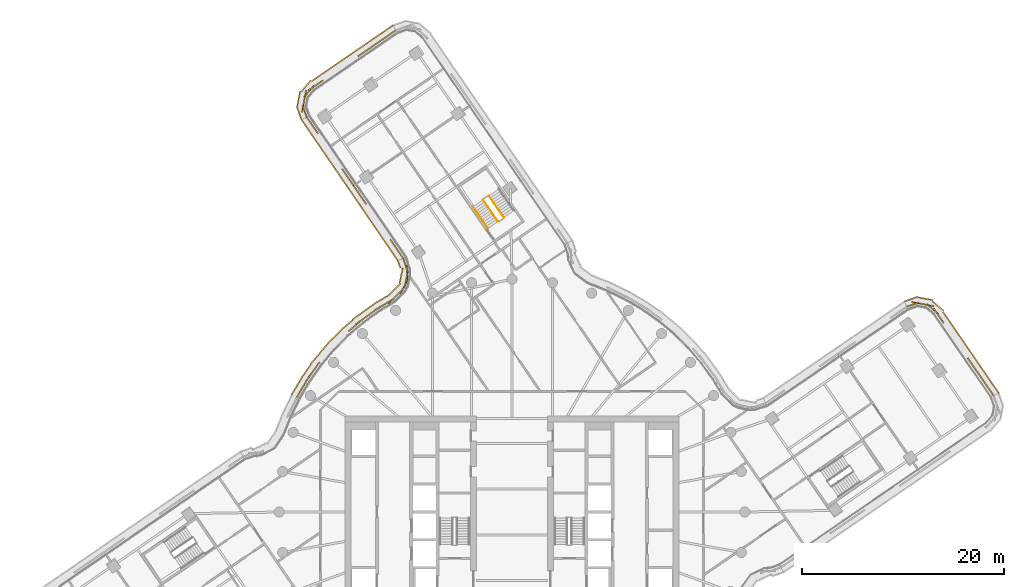
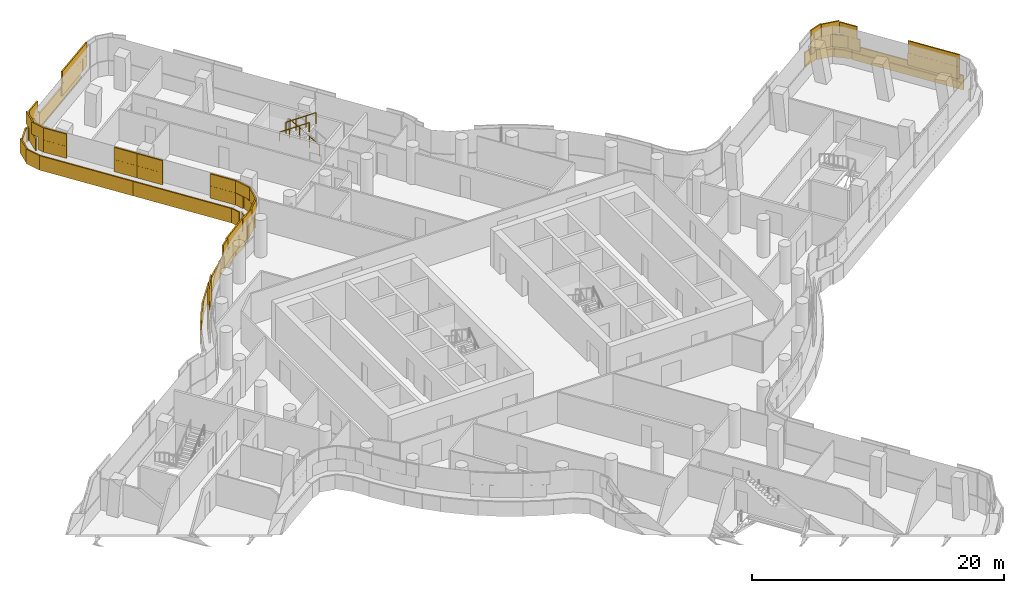
# One storey, part 32 of 33: 5 coverings, 3 railings.
"""IFC4 building model written with IfcOpenShell, lengths in metres."""

from ifc_helpers import new_model, si_unit, direction, frame, origin, origin_2d, place, context, subcontext, project, spatial, rectangle, circle, extrude, material, layer, layer_set, type_object, element, save


model = new_model("IFC4")

# Units and contexts
model_context = context("Model", 3, precision=1e-05, world=origin(), true_north=direction((0.0, 1.0)))
body_context = subcontext(model_context, "Body", "Model", "MODEL_VIEW")
ifc_project = project(units=[si_unit("LENGTHUNIT", "METRE"), si_unit("AREAUNIT", "SQUARE_METRE"), si_unit("VOLUMEUNIT", "CUBIC_METRE"), si_unit("PLANEANGLEUNIT", "RADIAN"), si_unit("MASSUNIT", "GRAM", prefix="KILO")], contexts=[model_context])

# Site, building, storey
site_placement = place(None, origin())
site = spatial("IfcSite", under=ifc_project, at=site_placement, CompositionType="ELEMENT")
building_placement = place(site_placement, origin())
building = spatial("IfcBuilding", under=site, at=building_placement, Name="Tamarind Cross Interchange Tower", CompositionType="ELEMENT")
storey_placement = place(building_placement, frame((0.0, 0.0, 159.25)))
storey = spatial("IfcBuildingStorey", under=building, at=storey_placement, Name="L39", CompositionType="ELEMENT", Elevation=159.25)

# Railings
ifc_material_1 = material(Name="Stair guard")
railing_type_1 = type_object("IfcRailingType", Name="Stair guard", PredefinedType="GUARDRAIL", material=ifc_material_1)
railing_1_placement = place(storey_placement, frame((-0.804931640625, 29.08984375, 0.17041015625)))
element("IfcRailing", 1, at=railing_1_placement, inside=storey, type_object=railing_type_1, Name="L39 ST4 stair guard 1", PredefinedType="GUARDRAIL", context=body_context, shape_type="SweptSolid", body=[
    extrude(circle(Radius=0.02392578125, at=origin_2d()), frame((0.0, 0.0, 1.076171875), z_axis=(-0.473376615801, 0.689411630743, 0.548293883796), x_axis=(-0.824373307567, -0.566046508488, 0.0)), (0.0, 0.0, 1.0), 3.10888671875),
    extrude(circle(Radius=0.02099609375, at=origin_2d()), origin(), (0.0, 0.0, 1.0), 1.052001953125),
    extrude(circle(Radius=0.02099609375, at=origin_2d()), frame((-0.490478515625, 0.71435546875, 0.568115234375)), (0.0, 0.0, 1.0), 1.052001953125),
    extrude(circle(Radius=0.02099609375, at=origin_2d()), frame((-0.981201171875, 1.428955078125, 1.136474609375)), (0.0, 0.0, 1.0), 1.052001953125),
    extrude(circle(Radius=0.02099609375, at=origin_2d()), frame((-1.4716796875, 2.143310546875, 1.70458984375)), (0.0, 0.0, 1.0), 1.052001953125),
])
railing_2_placement = place(storey_placement, frame((-2.853759765625, 30.836669921875, 2.04541015625)))
element("IfcRailing", 2, at=railing_2_placement, inside=storey, type_object=railing_type_1, Name="L39 ST4 stair guard 3", PredefinedType="GUARDRAIL", context=body_context, shape_type="SweptSolid", body=[
    extrude(circle(Radius=0.02392578125, at=origin_2d()), frame((0.0, 0.0, 1.076171875), z_axis=(0.473463174954, -0.689344791798, 0.54830318254), x_axis=(0.824299393218, 0.56615414009, 0.0)), (0.0, 0.0, 1.0), 3.10888671875),
    extrude(circle(Radius=0.02099609375, at=origin_2d()), origin(), (0.0, 0.0, 1.0), 1.052001953125),
    extrude(circle(Radius=0.02099609375, at=origin_2d()), frame((0.49072265625, -0.71435546875, 0.568115234375)), (0.0, 0.0, 1.0), 1.052001953125),
    extrude(circle(Radius=0.02099609375, at=origin_2d()), frame((0.981201171875, -1.4287109375, 1.136474609375)), (0.0, 0.0, 1.0), 1.052001953125),
    extrude(circle(Radius=0.02099609375, at=origin_2d()), frame((1.471923828125, -2.14306640625, 1.70458984375)), (0.0, 0.0, 1.0), 1.052001953125),
])
ifc_material_2 = material(Name="Stair handrail")
railing_type_2 = type_object("IfcRailingType", Name="Stair handrail", PredefinedType="HANDRAIL", material=ifc_material_2)
railing_3_placement = place(storey_placement, frame((-3.843017578125, 30.157470703125, 2.04541015625)))
element("IfcRailing", 3, at=railing_3_placement, inside=storey, type_object=railing_type_2, Name="L39 ST4 stair handrail 2", PredefinedType="HANDRAIL", context=body_context, shape_type="SweptSolid", body=[
    extrude(circle(Radius=0.02392578125, at=origin_2d()), frame((0.0, 0.0, 0.8759765625), z_axis=(0.473437544689, -0.689386001796, 0.548273500916), x_axis=(0.824329489188, 0.566110318979, 0.0)), (0.0, 0.0, 1.0), 3.109130859375),
    extrude(circle(Radius=0.02099609375, at=origin_2d()), origin(), (0.0, 0.0, 1.0), 0.851806640625),
    extrude(circle(Radius=0.02099609375, at=origin_2d()), frame((0.49072265625, -0.71435546875, 0.568115234375)), (0.0, 0.0, 1.0), 0.851806640625),
    extrude(circle(Radius=0.02099609375, at=origin_2d()), frame((0.981201171875, -1.428955078125, 1.136474609375)), (0.0, 0.0, 1.0), 0.851806640625),
    extrude(circle(Radius=0.02099609375, at=origin_2d()), frame((1.471923828125, -2.143310546875, 1.70458984375)), (0.0, 0.0, 1.0), 0.851806640625),
])

# Coverings
ifc_material_3 = material(Name="Terracotta", Category="masonry")
ifc_layer = layer(ifc_material_3, 0.1201171875)
ifc_layer_set = layer_set([ifc_layer], Name="Terracotta")
covering_type = type_object("IfcCoveringType", Name="Terracotta baguette screen unit", PredefinedType="MOLDING", material=ifc_layer_set)
covering_1_placement = place(storey_placement, origin())
element("IfcCovering", 4, at=covering_1_placement, inside=storey, type_object=covering_type, Name="SCR-L39-08-00", PredefinedType="MOLDING", context=body_context, shape_type="SweptSolid", body=[
    extrude(rectangle(XDim=0.760009765625, YDim=0.1201171875, at=origin_2d()), frame((47.36328125, 11.792724609375, 1.404052734375), z_axis=(0.0, 0.0, 1.0), x_axis=(-0.566095508429, 0.824339660174, 0.0)), (0.0, 0.0, 1.0), 1.1669921875),
    extrude(rectangle(XDim=1.52001953125, YDim=0.1201171875, at=origin_2d()), frame((46.7265625, 12.72021484375, 1.404052734375), z_axis=(0.0, 0.0, 1.0), x_axis=(-0.566095508429, 0.824339660174, 0.0)), (0.0, 0.0, 1.0), 1.1669921875),
    extrude(rectangle(XDim=1.52001953125, YDim=0.1201171875, at=origin_2d()), frame((45.87744140625, 13.956787109375, 1.404052734375), z_axis=(0.0, 0.0, 1.0), x_axis=(-0.566095508429, 0.824339660174, 0.0)), (0.0, 0.0, 1.0), 1.1669921875),
    extrude(rectangle(XDim=0.784912109375, YDim=0.1201171875, at=origin_2d()), frame((45.2333984375, 14.894287109375, 1.404052734375), z_axis=(0.0, 0.0, 1.0), x_axis=(-0.566095508429, 0.824339660174, 0.0)), (0.0, 0.0, 1.0), 1.1669921875),
    extrude(rectangle(XDim=1.03515625, YDim=0.1201171875, at=origin_2d()), frame((42.346435546875, 19.098388671875, 1.404052734375), z_axis=(0.0, 0.0, 1.0), x_axis=(-0.566095508429, 0.824339660174, 0.0)), (0.0, 0.0, 1.0), 1.1669921875),
    extrude(rectangle(XDim=1.52001953125, YDim=0.1201171875, at=origin_2d()), frame((41.539306640625, 20.05615234375, 1.404052734375), z_axis=(0.0, 0.0, 1.0), x_axis=(-0.760161075424, 0.649734668468, 0.0)), (0.0, 0.0, 1.0), 1.1669921875),
    extrude(rectangle(XDim=1.52001953125, YDim=0.1201171875, at=origin_2d()), frame((40.197265625, 20.60791015625, 1.404052734375), z_axis=(0.0, 0.0, 1.0), x_axis=(-0.98318613652, 0.182606190901, 0.0)), (0.0, 0.0, 1.0), 1.1669921875),
    extrude(rectangle(XDim=0.509521484375, YDim=0.1201171875, at=origin_2d()), frame((39.247314453125, 20.366455078125, 1.404052734375), z_axis=(0.0, 0.0, 1.0), x_axis=(-0.942767266325, -0.333451468051, 0.0)), (0.0, 0.0, 1.0), 1.1669921875),
    extrude(rectangle(XDim=1.510009765625, YDim=0.1201171875, at=origin_2d()), frame((47.151123046875, 12.101806640625, 2.5791015625), z_axis=(0.0, 0.0, 1.0), x_axis=(-0.566095508429, 0.824339660174, 0.0)), (0.0, 0.0, 1.0), 1.1669921875),
    extrude(rectangle(XDim=1.52001953125, YDim=0.1201171875, at=origin_2d()), frame((46.302001953125, 13.33837890625, 2.5791015625), z_axis=(0.0, 0.0, 1.0), x_axis=(-0.566095508429, 0.824339660174, 0.0)), (0.0, 0.0, 1.0), 1.1669921875),
    extrude(rectangle(XDim=1.52001953125, YDim=0.1201171875, at=origin_2d()), frame((45.452880859375, 14.574951171875, 2.5791015625), z_axis=(0.0, 0.0, 1.0), x_axis=(-0.566095508429, 0.824339660174, 0.0)), (0.0, 0.0, 1.0), 1.1669921875),
    extrude(rectangle(XDim=1.52001953125, YDim=0.1201171875, at=origin_2d()), frame((42.05615234375, 19.52099609375, 2.5791015625), z_axis=(0.0, 0.0, 1.0), x_axis=(-0.566095508429, 0.824339660174, 0.0)), (0.0, 0.0, 1.0), 1.1669921875),
    extrude(rectangle(XDim=1.52001953125, YDim=0.1201171875, at=origin_2d()), frame((40.9345703125, 20.470947265625, 2.5791015625), z_axis=(0.0, 0.0, 1.0), x_axis=(-0.98318613652, 0.182606190901, 0.0)), (0.0, 0.0, 1.0), 1.1669921875),
    extrude(rectangle(XDim=1.259521484375, YDim=0.1201171875, at=origin_2d()), frame((39.600830078125, 20.49169921875, 2.5791015625), z_axis=(0.0, 0.0, 1.0), x_axis=(-0.942767266325, -0.333451468051, 0.0)), (0.0, 0.0, 1.0), 1.1669921875),
    extrude(rectangle(XDim=0.760009765625, YDim=0.1201171875, at=origin_2d()), frame((47.87646484375, 12.0595703125, 0.00390625), z_axis=(0.0, 0.0, 1.0), x_axis=(-0.566095508429, 0.824339660174, 0.0)), (0.0, 0.0, 1.0), 1.39208984375),
    extrude(rectangle(XDim=1.52001953125, YDim=0.1201171875, at=origin_2d()), frame((47.242431640625, 12.98291015625, 0.00390625), z_axis=(0.0, 0.0, 1.0), x_axis=(-0.566095508429, 0.824339660174, 0.0)), (0.0, 0.0, 1.0), 1.39208984375),
    extrude(rectangle(XDim=1.52001953125, YDim=0.1201171875, at=origin_2d()), frame((46.393310546875, 14.21923828125, 0.00390625), z_axis=(0.0, 0.0, 1.0), x_axis=(-0.566095508429, 0.824339660174, 0.0)), (0.0, 0.0, 1.0), 1.39208984375),
    extrude(rectangle(XDim=1.52001953125, YDim=0.1201171875, at=origin_2d()), frame((45.544189453125, 15.455810546875, 0.00390625), z_axis=(0.0, 0.0, 1.0), x_axis=(-0.566095508429, 0.824339660174, 0.0)), (0.0, 0.0, 1.0), 1.39208984375),
    extrude(rectangle(XDim=1.52001953125, YDim=0.1201171875, at=origin_2d()), frame((44.695068359375, 16.6923828125, 0.00390625), z_axis=(0.0, 0.0, 1.0), x_axis=(-0.566095508429, 0.824339660174, 0.0)), (0.0, 0.0, 1.0), 1.39208984375),
    extrude(rectangle(XDim=1.52001953125, YDim=0.1201171875, at=origin_2d()), frame((43.845947265625, 17.928955078125, 0.00390625), z_axis=(0.0, 0.0, 1.0), x_axis=(-0.566095508429, 0.824339660174, 0.0)), (0.0, 0.0, 1.0), 1.39208984375),
    extrude(rectangle(XDim=1.52001953125, YDim=0.1201171875, at=origin_2d()), frame((42.996826171875, 19.165283203125, 0.00390625), z_axis=(0.0, 0.0, 1.0), x_axis=(-0.566095508429, 0.824339660174, 0.0)), (0.0, 0.0, 1.0), 1.39208984375),
    extrude(rectangle(XDim=1.52001953125, YDim=0.1201171875, at=origin_2d()), frame((42.08447265625, 20.344970703125, 0.00390625), z_axis=(0.0, 0.0, 1.0), x_axis=(-0.760161075424, 0.649734668468, 0.0)), (0.0, 0.0, 1.0), 1.39208984375),
    extrude(rectangle(XDim=1.52001953125, YDim=0.1201171875, at=origin_2d()), frame((40.827392578125, 21.07470703125, 0.00390625), z_axis=(0.0, 0.0, 1.0), x_axis=(-0.98318613652, 0.182606190901, 0.0)), (0.0, 0.0, 1.0), 1.39208984375),
    extrude(rectangle(XDim=1.426513671875, YDim=0.1201171875, at=origin_2d()), frame((39.422119140625, 21.037353515625, 0.00390625), z_axis=(0.0, 0.0, 1.0), x_axis=(-0.942767266325, -0.333451468051, 0.0)), (0.0, 0.0, 1.0), 1.39208984375),
])
covering_2_placement = place(storey_placement, origin())
element("IfcCovering", 5, at=covering_2_placement, inside=storey, type_object=covering_type, Name="SCR-L39-12-00", PredefinedType="MOLDING", context=body_context, shape_type="SweptSolid", body=[
    extrude(rectangle(XDim=0.760009765625, YDim=0.1201171875, at=origin_2d()), frame((-11.792724609375, 47.36328125, 1.404052734375), z_axis=(0.0, 0.0, 1.0), x_axis=(-0.824339660174, -0.566095508429, 0.0)), (0.0, 0.0, 1.0), 1.1669921875),
    extrude(rectangle(XDim=1.52001953125, YDim=0.1201171875, at=origin_2d()), frame((-12.72021484375, 46.7265625, 1.404052734375), z_axis=(0.0, 0.0, 1.0), x_axis=(-0.824339660174, -0.566095508429, 0.0)), (0.0, 0.0, 1.0), 1.1669921875),
    extrude(rectangle(XDim=1.52001953125, YDim=0.1201171875, at=origin_2d()), frame((-13.956787109375, 45.87744140625, 1.404052734375), z_axis=(0.0, 0.0, 1.0), x_axis=(-0.824339660174, -0.566095508429, 0.0)), (0.0, 0.0, 1.0), 1.1669921875),
    extrude(rectangle(XDim=0.784912109375, YDim=0.1201171875, at=origin_2d()), frame((-14.894287109375, 45.2333984375, 1.404052734375), z_axis=(0.0, 0.0, 1.0), x_axis=(-0.824339660174, -0.566095508429, 0.0)), (0.0, 0.0, 1.0), 1.1669921875),
    extrude(rectangle(XDim=1.03515625, YDim=0.1201171875, at=origin_2d()), frame((-19.098388671875, 42.346435546875, 1.404052734375), z_axis=(0.0, 0.0, 1.0), x_axis=(-0.824339660174, -0.566095508429, 0.0)), (0.0, 0.0, 1.0), 1.1669921875),
    extrude(rectangle(XDim=1.52001953125, YDim=0.1201171875, at=origin_2d()), frame((-20.05615234375, 41.539306640625, 1.404052734375), z_axis=(0.0, 0.0, 1.0), x_axis=(-0.649734668468, -0.760161075424, 0.0)), (0.0, 0.0, 1.0), 1.1669921875),
    extrude(rectangle(XDim=1.52001953125, YDim=0.1201171875, at=origin_2d()), frame((-20.60791015625, 40.197265625, 1.404052734375), z_axis=(0.0, 0.0, 1.0), x_axis=(-0.182606190901, -0.98318613652, 0.0)), (0.0, 0.0, 1.0), 1.1669921875),
    extrude(rectangle(XDim=0.509521484375, YDim=0.1201171875, at=origin_2d()), frame((-20.366455078125, 39.247314453125, 1.404052734375), z_axis=(0.0, 0.0, 1.0), x_axis=(0.333451468051, -0.942767266325, 0.0)), (0.0, 0.0, 1.0), 1.1669921875),
    extrude(rectangle(XDim=1.510009765625, YDim=0.1201171875, at=origin_2d()), frame((-12.101806640625, 47.151123046875, 2.5791015625), z_axis=(0.0, 0.0, 1.0), x_axis=(-0.824339660174, -0.566095508429, 0.0)), (0.0, 0.0, 1.0), 1.1669921875),
    extrude(rectangle(XDim=1.52001953125, YDim=0.1201171875, at=origin_2d()), frame((-13.33837890625, 46.302001953125, 2.5791015625), z_axis=(0.0, 0.0, 1.0), x_axis=(-0.824339660174, -0.566095508429, 0.0)), (0.0, 0.0, 1.0), 1.1669921875),
    extrude(rectangle(XDim=1.52001953125, YDim=0.1201171875, at=origin_2d()), frame((-14.574951171875, 45.452880859375, 2.5791015625), z_axis=(0.0, 0.0, 1.0), x_axis=(-0.824339660174, -0.566095508429, 0.0)), (0.0, 0.0, 1.0), 1.1669921875),
    extrude(rectangle(XDim=1.52001953125, YDim=0.1201171875, at=origin_2d()), frame((-19.52099609375, 42.05615234375, 2.5791015625), z_axis=(0.0, 0.0, 1.0), x_axis=(-0.824339660174, -0.566095508429, 0.0)), (0.0, 0.0, 1.0), 1.1669921875),
    extrude(rectangle(XDim=1.52001953125, YDim=0.1201171875, at=origin_2d()), frame((-20.470947265625, 40.9345703125, 2.5791015625), z_axis=(0.0, 0.0, 1.0), x_axis=(-0.182606190901, -0.98318613652, 0.0)), (0.0, 0.0, 1.0), 1.1669921875),
    extrude(rectangle(XDim=1.259521484375, YDim=0.1201171875, at=origin_2d()), frame((-20.49169921875, 39.600830078125, 2.5791015625), z_axis=(0.0, 0.0, 1.0), x_axis=(0.333451468051, -0.942767266325, 0.0)), (0.0, 0.0, 1.0), 1.1669921875),
    extrude(rectangle(XDim=0.760009765625, YDim=0.1201171875, at=origin_2d()), frame((-12.0595703125, 47.87646484375, 0.00390625), z_axis=(0.0, 0.0, 1.0), x_axis=(-0.824339660174, -0.566095508429, 0.0)), (0.0, 0.0, 1.0), 1.39208984375),
    extrude(rectangle(XDim=1.52001953125, YDim=0.1201171875, at=origin_2d()), frame((-12.98291015625, 47.242431640625, 0.00390625), z_axis=(0.0, 0.0, 1.0), x_axis=(-0.824339660174, -0.566095508429, 0.0)), (0.0, 0.0, 1.0), 1.39208984375),
    extrude(rectangle(XDim=1.52001953125, YDim=0.1201171875, at=origin_2d()), frame((-14.21923828125, 46.393310546875, 0.00390625), z_axis=(0.0, 0.0, 1.0), x_axis=(-0.824339660174, -0.566095508429, 0.0)), (0.0, 0.0, 1.0), 1.39208984375),
    extrude(rectangle(XDim=1.52001953125, YDim=0.1201171875, at=origin_2d()), frame((-15.455810546875, 45.544189453125, 0.00390625), z_axis=(0.0, 0.0, 1.0), x_axis=(-0.824339660174, -0.566095508429, 0.0)), (0.0, 0.0, 1.0), 1.39208984375),
    extrude(rectangle(XDim=1.52001953125, YDim=0.1201171875, at=origin_2d()), frame((-16.6923828125, 44.695068359375, 0.00390625), z_axis=(0.0, 0.0, 1.0), x_axis=(-0.824339660174, -0.566095508429, 0.0)), (0.0, 0.0, 1.0), 1.39208984375),
    extrude(rectangle(XDim=1.52001953125, YDim=0.1201171875, at=origin_2d()), frame((-17.928955078125, 43.845947265625, 0.00390625), z_axis=(0.0, 0.0, 1.0), x_axis=(-0.824339660174, -0.566095508429, 0.0)), (0.0, 0.0, 1.0), 1.39208984375),
    extrude(rectangle(XDim=1.52001953125, YDim=0.1201171875, at=origin_2d()), frame((-19.165283203125, 42.996826171875, 0.00390625), z_axis=(0.0, 0.0, 1.0), x_axis=(-0.824339660174, -0.566095508429, 0.0)), (0.0, 0.0, 1.0), 1.39208984375),
    extrude(rectangle(XDim=1.52001953125, YDim=0.1201171875, at=origin_2d()), frame((-20.344970703125, 42.08447265625, 0.00390625), z_axis=(0.0, 0.0, 1.0), x_axis=(-0.649734668468, -0.760161075424, 0.0)), (0.0, 0.0, 1.0), 1.39208984375),
    extrude(rectangle(XDim=1.52001953125, YDim=0.1201171875, at=origin_2d()), frame((-21.07470703125, 40.827392578125, 0.00390625), z_axis=(0.0, 0.0, 1.0), x_axis=(-0.182606190901, -0.98318613652, 0.0)), (0.0, 0.0, 1.0), 1.39208984375),
    extrude(rectangle(XDim=1.426513671875, YDim=0.1201171875, at=origin_2d()), frame((-21.037353515625, 39.422119140625, 0.00390625), z_axis=(0.0, 0.0, 1.0), x_axis=(0.333451468051, -0.942767266325, 0.0)), (0.0, 0.0, 1.0), 1.39208984375),
])
covering_3_placement = place(storey_placement, origin())
element("IfcCovering", 6, at=covering_3_placement, inside=storey, type_object=covering_type, Name="SCR-L39-13-00", PredefinedType="MOLDING", context=body_context, shape_type="SweptSolid", body=[
    extrude(rectangle(XDim=0.760009765625, YDim=0.1201171875, at=origin_2d()), frame((-20.07177734375, 38.702392578125, 1.404052734375), z_axis=(0.0, 0.0, 1.0), x_axis=(0.564300572341, -0.825569418072, 0.0)), (0.0, 0.0, 1.0), 1.1669921875),
    extrude(rectangle(XDim=1.2568359375, YDim=0.1201171875, at=origin_2d()), frame((-19.50830078125, 37.8779296875, 1.404052734375), z_axis=(0.0, 0.0, 1.0), x_axis=(0.564300572341, -0.825569418072, 0.0)), (0.0, 0.0, 1.0), 1.1669921875),
    extrude(rectangle(XDim=0.563232421875, YDim=0.1201171875, at=origin_2d()), frame((-16.63037109375, 33.667724609375, 1.404052734375), z_axis=(0.0, 0.0, 1.0), x_axis=(0.564300572341, -0.825569418072, 0.0)), (0.0, 0.0, 1.0), 1.1669921875),
    extrude(rectangle(XDim=1.45361328125, YDim=0.1201171875, at=origin_2d()), frame((-16.06689453125, 32.84326171875, 1.404052734375), z_axis=(0.0, 0.0, 1.0), x_axis=(0.564300572341, -0.825569418072, 0.0)), (0.0, 0.0, 1.0), 1.1669921875),
    extrude(rectangle(XDim=1.510009765625, YDim=0.1201171875, at=origin_2d()), frame((-19.860107421875, 38.392578125, 2.5791015625), z_axis=(0.0, 0.0, 1.0), x_axis=(0.564300572341, -0.825569418072, 0.0)), (0.0, 0.0, 1.0), 1.1669921875),
    extrude(rectangle(XDim=0.5068359375, YDim=0.1201171875, at=origin_2d()), frame((-19.296630859375, 37.568359375, 2.5791015625), z_axis=(0.0, 0.0, 1.0), x_axis=(0.564300572341, -0.825569418072, 0.0)), (0.0, 0.0, 1.0), 1.1669921875),
    extrude(rectangle(XDim=1.313232421875, YDim=0.1201171875, at=origin_2d()), frame((-16.418701171875, 33.35791015625, 2.5791015625), z_axis=(0.0, 0.0, 1.0), x_axis=(0.564300572341, -0.825569418072, 0.0)), (0.0, 0.0, 1.0), 1.1669921875),
    extrude(rectangle(XDim=0.70361328125, YDim=0.1201171875, at=origin_2d()), frame((-15.855224609375, 32.53369140625, 2.5791015625), z_axis=(0.0, 0.0, 1.0), x_axis=(0.564300572341, -0.825569418072, 0.0)), (0.0, 0.0, 1.0), 1.1669921875),
    extrude(rectangle(XDim=0.760009765625, YDim=0.1201171875, at=origin_2d()), frame((-20.5849609375, 38.43603515625, 0.00390625), z_axis=(0.0, 0.0, 1.0), x_axis=(0.564300572341, -0.825569418072, 0.0)), (0.0, 0.0, 1.0), 1.39208984375),
    extrude(rectangle(XDim=1.52001953125, YDim=0.1201171875, at=origin_2d()), frame((-19.952880859375, 37.511474609375, 0.00390625), z_axis=(0.0, 0.0, 1.0), x_axis=(0.564300572341, -0.825569418072, 0.0)), (0.0, 0.0, 1.0), 1.39208984375),
    extrude(rectangle(XDim=1.52001953125, YDim=0.1201171875, at=origin_2d()), frame((-19.1064453125, 36.273193359375, 0.00390625), z_axis=(0.0, 0.0, 1.0), x_axis=(0.564300572341, -0.825569418072, 0.0)), (0.0, 0.0, 1.0), 1.39208984375),
    extrude(rectangle(XDim=1.52001953125, YDim=0.1201171875, at=origin_2d()), frame((-18.260009765625, 35.03466796875, 0.00390625), z_axis=(0.0, 0.0, 1.0), x_axis=(0.564300572341, -0.825569418072, 0.0)), (0.0, 0.0, 1.0), 1.39208984375),
    extrude(rectangle(XDim=1.52001953125, YDim=0.1201171875, at=origin_2d()), frame((-17.41357421875, 33.79638671875, 0.00390625), z_axis=(0.0, 0.0, 1.0), x_axis=(0.564300572341, -0.825569418072, 0.0)), (0.0, 0.0, 1.0), 1.39208984375),
    extrude(rectangle(XDim=1.4521484375, YDim=0.1201171875, at=origin_2d()), frame((-16.58642578125, 32.5859375, 0.00390625), z_axis=(0.0, 0.0, 1.0), x_axis=(0.564300572341, -0.825569418072, 0.0)), (0.0, 0.0, 1.0), 1.39208984375),
])
covering_4_placement = place(storey_placement, origin())
element("IfcCovering", 7, at=covering_4_placement, inside=storey, type_object=covering_type, Name="SCR-L39-13-01", PredefinedType="MOLDING", context=body_context, shape_type="SweptSolid", body=[
    extrude(rectangle(XDim=0.06640625, YDim=0.1201171875, at=origin_2d()), frame((-15.643798828125, 32.22412109375, 1.404052734375), z_axis=(0.0, 0.0, 1.0), x_axis=(0.564300572341, -0.825569418072, 0.0)), (0.0, 0.0, 1.0), 1.1669921875),
    extrude(rectangle(XDim=1.52001953125, YDim=0.1201171875, at=origin_2d()), frame((-15.20458984375, 31.581787109375, 1.404052734375), z_axis=(0.0, 0.0, 1.0), x_axis=(0.564300572341, -0.825569418072, 0.0)), (0.0, 0.0, 1.0), 1.1669921875),
    extrude(rectangle(XDim=0.6982421875, YDim=0.1201171875, at=origin_2d()), frame((-14.587158203125, 30.678466796875, 1.404052734375), z_axis=(0.0, 0.0, 1.0), x_axis=(0.564300572341, -0.825569418072, 0.0)), (0.0, 0.0, 1.0), 1.1669921875),
    extrude(rectangle(XDim=1.12158203125, YDim=0.1201171875, at=origin_2d()), frame((-11.709228515625, 26.468017578125, 1.404052734375), z_axis=(0.0, 0.0, 1.0), x_axis=(0.564300572341, -0.825569418072, 0.0)), (0.0, 0.0, 1.0), 1.1669921875),
    extrude(rectangle(XDim=1.14306640625, YDim=0.1201171875, at=origin_2d()), frame((-11.075927734375, 25.54150390625, 1.404052734375), z_axis=(0.0, 0.0, 1.0), x_axis=(0.564300572341, -0.825569418072, 0.0)), (0.0, 0.0, 1.0), 1.1669921875),
    extrude(rectangle(XDim=0.81640625, YDim=0.1201171875, at=origin_2d()), frame((-15.43212890625, 31.91455078125, 2.5791015625), z_axis=(0.0, 0.0, 1.0), x_axis=(0.564300572341, -0.825569418072, 0.0)), (0.0, 0.0, 1.0), 1.1669921875),
    extrude(rectangle(XDim=1.4482421875, YDim=0.1201171875, at=origin_2d()), frame((-14.798828125, 30.988037109375, 2.5791015625), z_axis=(0.0, 0.0, 1.0), x_axis=(0.564300572341, -0.825569418072, 0.0)), (0.0, 0.0, 1.0), 1.1669921875),
    extrude(rectangle(XDim=0.37158203125, YDim=0.1201171875, at=origin_2d()), frame((-11.9208984375, 26.777587890625, 2.5791015625), z_axis=(0.0, 0.0, 1.0), x_axis=(0.564300572341, -0.825569418072, 0.0)), (0.0, 0.0, 1.0), 1.1669921875),
    extrude(rectangle(XDim=1.52001953125, YDim=0.1201171875, at=origin_2d()), frame((-11.3955078125, 26.009033203125, 2.5791015625), z_axis=(0.0, 0.0, 1.0), x_axis=(0.564300572341, -0.825569418072, 0.0)), (0.0, 0.0, 1.0), 1.1669921875),
    extrude(rectangle(XDim=0.39306640625, YDim=0.1201171875, at=origin_2d()), frame((-10.8642578125, 25.23193359375, 2.5791015625), z_axis=(0.0, 0.0, 1.0), x_axis=(0.564300572341, -0.825569418072, 0.0)), (0.0, 0.0, 1.0), 1.1669921875),
    extrude(rectangle(XDim=0.06787109375, YDim=0.1201171875, at=origin_2d()), frame((-16.157470703125, 31.958740234375, 0.00390625), z_axis=(0.0, 0.0, 1.0), x_axis=(0.564300572341, -0.825569418072, 0.0)), (0.0, 0.0, 1.0), 1.39208984375),
    extrude(rectangle(XDim=1.52001953125, YDim=0.1201171875, at=origin_2d()), frame((-15.720703125, 31.319580078125, 0.00390625), z_axis=(0.0, 0.0, 1.0), x_axis=(0.564300572341, -0.825569418072, 0.0)), (0.0, 0.0, 1.0), 1.39208984375),
    extrude(rectangle(XDim=1.52001953125, YDim=0.1201171875, at=origin_2d()), frame((-14.874267578125, 30.081298828125, 0.00390625), z_axis=(0.0, 0.0, 1.0), x_axis=(0.564300572341, -0.825569418072, 0.0)), (0.0, 0.0, 1.0), 1.39208984375),
    extrude(rectangle(XDim=1.52001953125, YDim=0.1201171875, at=origin_2d()), frame((-14.02783203125, 28.843017578125, 0.00390625), z_axis=(0.0, 0.0, 1.0), x_axis=(0.564300572341, -0.825569418072, 0.0)), (0.0, 0.0, 1.0), 1.39208984375),
    extrude(rectangle(XDim=1.52001953125, YDim=0.1201171875, at=origin_2d()), frame((-13.181396484375, 27.604736328125, 0.00390625), z_axis=(0.0, 0.0, 1.0), x_axis=(0.564300572341, -0.825569418072, 0.0)), (0.0, 0.0, 1.0), 1.39208984375),
    extrude(rectangle(XDim=1.52001953125, YDim=0.1201171875, at=origin_2d()), frame((-12.3349609375, 26.3662109375, 0.00390625), z_axis=(0.0, 0.0, 1.0), x_axis=(0.564300572341, -0.825569418072, 0.0)), (0.0, 0.0, 1.0), 1.39208984375),
    extrude(rectangle(XDim=1.139892578125, YDim=0.1201171875, at=origin_2d()), frame((-11.595703125, 25.284912109375, 0.00390625), z_axis=(0.0, 0.0, 1.0), x_axis=(0.564300572341, -0.825569418072, 0.0)), (0.0, 0.0, 1.0), 1.39208984375),
])
covering_5_placement = place(storey_placement, origin())
element("IfcCovering", 8, at=covering_5_placement, inside=storey, type_object=covering_type, Name="SCR-L39-14-00", PredefinedType="MOLDING", context=body_context, shape_type="SweptSolid", body=[
    extrude(rectangle(XDim=0.760009765625, YDim=0.1201171875, at=origin_2d()), frame((-10.635009765625, 24.71875, 1.404052734375), z_axis=(0.0, 0.0, 1.0), x_axis=(0.323315957278, -0.946291071378, 0.0)), (0.0, 0.0, 1.0), 1.1669921875),
    extrude(rectangle(XDim=1.52001953125, YDim=0.1201171875, at=origin_2d()), frame((-10.356689453125, 23.6376953125, 1.404052734375), z_axis=(0.0, 0.0, 1.0), x_axis=(0.056671143595, -0.998392899356, 0.0)), (0.0, 0.0, 1.0), 1.1669921875),
    extrude(rectangle(XDim=1.52001953125, YDim=0.1201171875, at=origin_2d()), frame((-10.6982421875, 22.194091796875, 1.404052734375), z_axis=(0.0, 0.0, 1.0), x_axis=(-0.469176955805, -0.883104175136, 0.0)), (0.0, 0.0, 1.0), 1.1669921875),
    extrude(rectangle(XDim=1.52001953125, YDim=0.1201171875, at=origin_2d()), frame((-11.705322265625, 21.093994140625, 1.404052734375), z_axis=(0.0, 0.0, 1.0), x_axis=(-0.707416020348, -0.706797406726, 0.0)), (0.0, 0.0, 1.0), 1.1669921875),
    extrude(rectangle(XDim=1.52001953125, YDim=0.1201171875, at=origin_2d()), frame((-12.963623046875, 20.2861328125, 1.404052734375), z_axis=(0.0, 0.0, 1.0), x_axis=(-0.856439295542, -0.51624774387, 0.0)), (0.0, 0.0, 1.0), 1.1669921875),
    extrude(rectangle(XDim=1.52001953125, YDim=0.1201171875, at=origin_2d()), frame((-14.1962890625, 19.432861328125, 1.404052734375), z_axis=(0.0, 0.0, 1.0), x_axis=(-0.811340475102, -0.584573890505, 0.0)), (0.0, 0.0, 1.0), 1.1669921875),
    extrude(rectangle(XDim=1.52001953125, YDim=0.1201171875, at=origin_2d()), frame((-15.37939453125, 18.512939453125, 1.404052734375), z_axis=(0.0, 0.0, 1.0), x_axis=(-0.760295606781, -0.64957723968, 0.0)), (0.0, 0.0, 1.0), 1.1669921875),
    extrude(rectangle(XDim=1.52001953125, YDim=0.1201171875, at=origin_2d()), frame((-19.4697265625, 14.148193359375, 1.404052734375), z_axis=(0.0, 0.0, 1.0), x_axis=(-0.577568978284, -0.816341886298, 0.0)), (0.0, 0.0, 1.0), 1.1669921875),
    extrude(rectangle(XDim=1.52001953125, YDim=0.1201171875, at=origin_2d()), frame((-20.322021484375, 12.914794921875, 1.404052734375), z_axis=(0.0, 0.0, 1.0), x_axis=(-0.508183308752, -0.861248933065, 0.0)), (0.0, 0.0, 1.0), 1.1669921875),
    extrude(rectangle(XDim=1.141845703125, YDim=0.1201171875, at=origin_2d()), frame((-20.99072265625, 11.781494140625, 1.404052734375), z_axis=(0.0, 0.0, 1.0), x_axis=(-0.508183308752, -0.861248933065, 0.0)), (0.0, 0.0, 1.0), 1.1669921875),
    extrude(rectangle(XDim=1.510009765625, YDim=0.1201171875, at=origin_2d()), frame((-10.513671875, 24.364013671875, 2.5791015625), z_axis=(0.0, 0.0, 1.0), x_axis=(0.323315957278, -0.946291071378, 0.0)), (0.0, 0.0, 1.0), 1.1669921875),
    extrude(rectangle(XDim=1.52001953125, YDim=0.1201171875, at=origin_2d()), frame((-10.467529296875, 22.901123046875, 2.5791015625), z_axis=(0.0, 0.0, 1.0), x_axis=(-0.214156797137, -0.976799296806, 0.0)), (0.0, 0.0, 1.0), 1.1669921875),
    extrude(rectangle(XDim=1.52001953125, YDim=0.1201171875, at=origin_2d()), frame((-11.174560546875, 21.6240234375, 2.5791015625), z_axis=(0.0, 0.0, 1.0), x_axis=(-0.707416020348, -0.706797406726, 0.0)), (0.0, 0.0, 1.0), 1.1669921875),
    extrude(rectangle(XDim=1.52001953125, YDim=0.1201171875, at=origin_2d()), frame((-12.3212890625, 20.673095703125, 2.5791015625), z_axis=(0.0, 0.0, 1.0), x_axis=(-0.856439295542, -0.51624774387, 0.0)), (0.0, 0.0, 1.0), 1.1669921875),
    extrude(rectangle(XDim=1.52001953125, YDim=0.1201171875, at=origin_2d()), frame((-13.587890625, 19.871337890625, 2.5791015625), z_axis=(0.0, 0.0, 1.0), x_axis=(-0.811340475102, -0.584573890505, 0.0)), (0.0, 0.0, 1.0), 1.1669921875),
    extrude(rectangle(XDim=1.52001953125, YDim=0.1201171875, at=origin_2d()), frame((-14.804931640625, 18.994384765625, 2.5791015625), z_axis=(0.0, 0.0, 1.0), x_axis=(-0.811340475102, -0.584573890505, 0.0)), (0.0, 0.0, 1.0), 1.1669921875),
    extrude(rectangle(XDim=1.002685546875, YDim=0.1201171875, at=origin_2d()), frame((-15.7568359375, 18.1904296875, 2.5791015625), z_axis=(0.0, 0.0, 1.0), x_axis=(-0.760295606781, -0.64957723968, 0.0)), (0.0, 0.0, 1.0), 1.1669921875),
    extrude(rectangle(XDim=0.8173828125, YDim=0.1201171875, at=origin_2d()), frame((-19.236572265625, 14.477783203125, 2.5791015625), z_axis=(0.0, 0.0, 1.0), x_axis=(-0.577568978284, -0.816341886298, 0.0)), (0.0, 0.0, 1.0), 1.1669921875),
    extrude(rectangle(XDim=1.52001953125, YDim=0.1201171875, at=origin_2d()), frame((-19.90283203125, 13.535888671875, 2.5791015625), z_axis=(0.0, 0.0, 1.0), x_axis=(-0.577568978284, -0.816341886298, 0.0)), (0.0, 0.0, 1.0), 1.1669921875),
    extrude(rectangle(XDim=1.52001953125, YDim=0.1201171875, at=origin_2d()), frame((-20.703369140625, 12.268798828125, 2.5791015625), z_axis=(0.0, 0.0, 1.0), x_axis=(-0.508183308752, -0.861248933065, 0.0)), (0.0, 0.0, 1.0), 1.1669921875),
    extrude(rectangle(XDim=0.391845703125, YDim=0.1201171875, at=origin_2d()), frame((-21.181396484375, 11.45849609375, 2.5791015625), z_axis=(0.0, 0.0, 1.0), x_axis=(-0.508183308752, -0.861248933065, 0.0)), (0.0, 0.0, 1.0), 1.1669921875),
    extrude(rectangle(XDim=0.760009765625, YDim=0.1201171875, at=origin_2d()), frame((-11.151123046875, 24.45458984375, 0.00390625), z_axis=(0.0, 0.0, 1.0), x_axis=(0.323315957278, -0.946291071378, 0.0)), (0.0, 0.0, 1.0), 1.39208984375),
    extrude(rectangle(XDim=1.52001953125, YDim=0.1201171875, at=origin_2d()), frame((-10.95166015625, 23.372802734375, 0.00390625), z_axis=(0.0, 0.0, 1.0), x_axis=(-0.214156797137, -0.976799296806, 0.0)), (0.0, 0.0, 1.0), 1.39208984375),
    extrude(rectangle(XDim=1.52001953125, YDim=0.1201171875, at=origin_2d()), frame((-11.560791015625, 22.049560546875, 0.00390625), z_axis=(0.0, 0.0, 1.0), x_axis=(-0.707416020348, -0.706797406726, 0.0)), (0.0, 0.0, 1.0), 1.39208984375),
    extrude(rectangle(XDim=1.52001953125, YDim=0.1201171875, at=origin_2d()), frame((-12.7138671875, 21.10693359375, 0.00390625), z_axis=(0.0, 0.0, 1.0), x_axis=(-0.856439295542, -0.51624774387, 0.0)), (0.0, 0.0, 1.0), 1.39208984375),
    extrude(rectangle(XDim=1.52001953125, YDim=0.1201171875, at=origin_2d()), frame((-13.976318359375, 20.298828125, 0.00390625), z_axis=(0.0, 0.0, 1.0), x_axis=(-0.811340475102, -0.584573890505, 0.0)), (0.0, 0.0, 1.0), 1.39208984375),
    extrude(rectangle(XDim=1.52001953125, YDim=0.1201171875, at=origin_2d()), frame((-15.193115234375, 19.422119140625, 0.00390625), z_axis=(0.0, 0.0, 1.0), x_axis=(-0.811340475102, -0.584573890505, 0.0)), (0.0, 0.0, 1.0), 1.39208984375),
    extrude(rectangle(XDim=1.52001953125, YDim=0.1201171875, at=origin_2d()), frame((-16.3359375, 18.45068359375, 0.00390625), z_axis=(0.0, 0.0, 1.0), x_axis=(-0.760295606781, -0.64957723968, 0.0)), (0.0, 0.0, 1.0), 1.39208984375),
    extrude(rectangle(XDim=1.52001953125, YDim=0.1201171875, at=origin_2d()), frame((-17.425048828125, 17.4208984375, 0.00390625), z_axis=(0.0, 0.0, 1.0), x_axis=(-0.704057148523, -0.710143317658, 0.0)), (0.0, 0.0, 1.0), 1.39208984375),
    extrude(rectangle(XDim=1.52001953125, YDim=0.1201171875, at=origin_2d()), frame((-18.4580078125, 16.33447265625, 0.00390625), z_axis=(0.0, 0.0, 1.0), x_axis=(-0.643009266048, -0.765858396687, 0.0)), (0.0, 0.0, 1.0), 1.39208984375),
    extrude(rectangle(XDim=1.52001953125, YDim=0.1201171875, at=origin_2d()), frame((-19.42236328125, 15.185791015625, 0.00390625), z_axis=(0.0, 0.0, 1.0), x_axis=(-0.643009266048, -0.765858396687, 0.0)), (0.0, 0.0, 1.0), 1.39208984375),
    extrude(rectangle(XDim=1.52001953125, YDim=0.1201171875, at=origin_2d()), frame((-20.29931640625, 13.96923828125, 0.00390625), z_axis=(0.0, 0.0, 1.0), x_axis=(-0.577568978284, -0.816341886298, 0.0)), (0.0, 0.0, 1.0), 1.39208984375),
    extrude(rectangle(XDim=1.52001953125, YDim=0.1201171875, at=origin_2d()), frame((-21.110107421875, 12.708740234375, 0.00390625), z_axis=(0.0, 0.0, 1.0), x_axis=(-0.508183308752, -0.861248933065, 0.0)), (0.0, 0.0, 1.0), 1.39208984375),
    extrude(rectangle(XDim=0.589599609375, YDim=0.1201171875, at=origin_2d()), frame((-21.635986328125, 11.817626953125, 0.00390625), z_axis=(0.0, 0.0, 1.0), x_axis=(-0.508183308752, -0.861248933065, 0.0)), (0.0, 0.0, 1.0), 1.39208984375),
])

save(model, "model.ifc")
